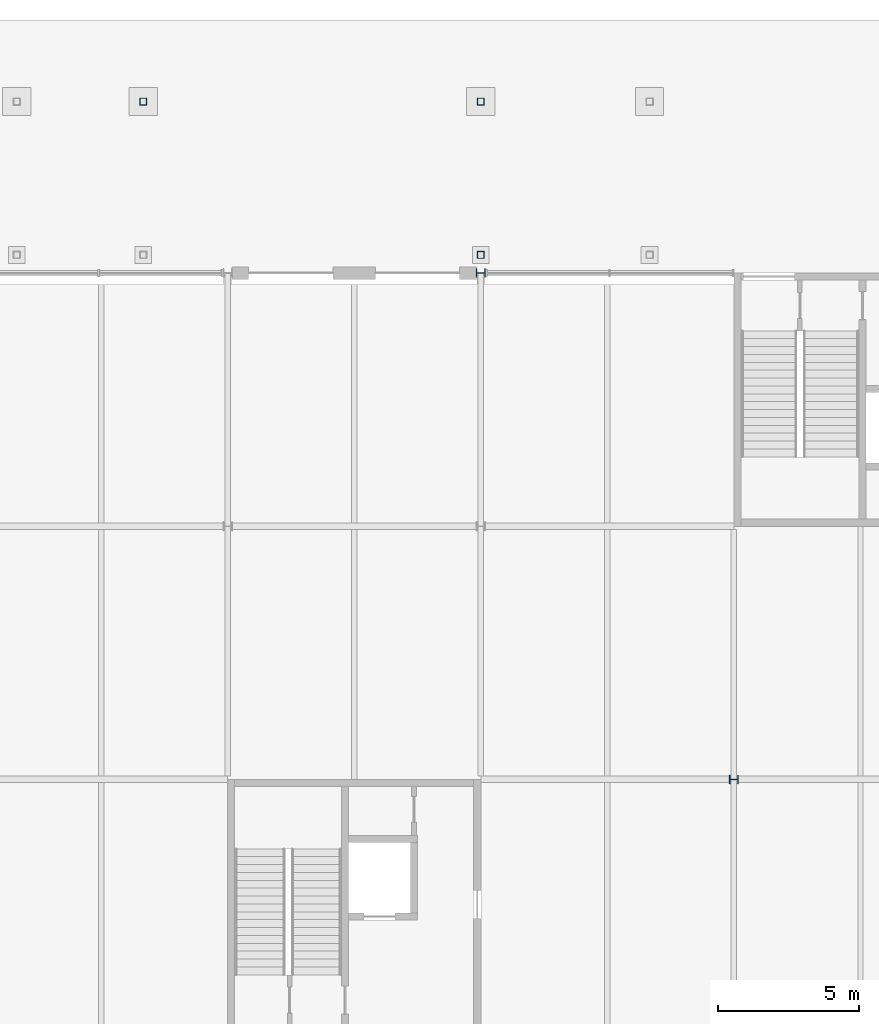
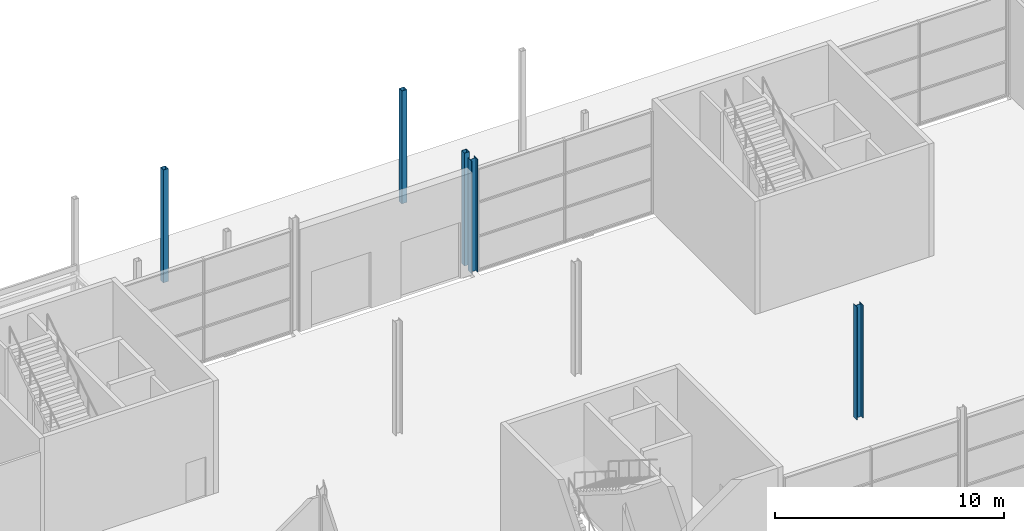
# One storey, part 23 of 97: 5 columns.
"""IFC4 building model written with IfcOpenShell, lengths in metres."""

from ifc_helpers import new_model, si_unit, direction, frame, origin, origin_2d, place, context, subcontext, project, spatial, hollow_rectangle, i_section, extrude, material, material_profile, profile_set, type_object, element, save


model = new_model("IFC4")

# Units and contexts
model_context = context("Model", 3, precision=1e-05, world=origin(), true_north=direction((0.0, 1.0)))
body_context = subcontext(model_context, "Body", "Model", "MODEL_VIEW")
ifc_project = project(units=[si_unit("LENGTHUNIT", "METRE"), si_unit("AREAUNIT", "SQUARE_METRE"), si_unit("VOLUMEUNIT", "CUBIC_METRE"), si_unit("PLANEANGLEUNIT", "RADIAN"), si_unit("MASSUNIT", "GRAM", prefix="KILO")], contexts=[model_context])

# Site, building, storey
site_placement = place(None, origin())
site = spatial("IfcSite", under=ifc_project, at=site_placement, CompositionType="ELEMENT")
building_placement = place(site_placement, origin())
building = spatial("IfcBuilding", under=site, at=building_placement, Name="Corbel Yard City Hall", CompositionType="ELEMENT")
storey_placement = place(building_placement, origin())
storey = spatial("IfcBuildingStorey", under=building, at=storey_placement, Name="L00", CompositionType="ELEMENT", Elevation=0.0)

# Columns
ifc_material_1 = material(Name="Steel Grade 300 (300 MPa yield)", Category="steel")
ifc_material_profile_1 = material_profile(ifc_material_1, i_section(OverallWidth=0.306884765625, OverallDepth=0.31494140625, WebThickness=0.011962890625, FlangeThickness=0.018798828125, at=origin_2d()), Name="310UC118")
ifc_profile_set_1 = profile_set([ifc_material_profile_1], Name="Steel Grade 300 (300 MPa yield)")
column_type_1 = type_object("IfcColumnType", Name="Column 310UC118", PredefinedType="COLUMN", material=ifc_profile_set_1)
column_1_placement = place(storey_placement, frame((90.0, 117.0, 0.0), z_axis=(0.0, 0.0, 1.0), x_axis=(0.0, 1.0, 0.0)))
element("IfcColumn", 1, at=column_1_placement, inside=storey, type_object=column_type_1, Name="Column 310UC118 N/11 L00", PredefinedType="COLUMN", context=body_context, shape_type="SweptSolid", body=[
    extrude(i_section(OverallWidth=0.306884765625, OverallDepth=0.31494140625, WebThickness=0.011962890625, FlangeThickness=0.018798828125, at=origin_2d()), origin(), (0.0, 0.0, 1.0), 6.0),
])
ifc_material_profile_2 = material_profile(ifc_material_1, i_section(OverallWidth=0.31103515625, OverallDepth=0.326904296875, WebThickness=0.015625, FlangeThickness=0.02490234375, at=origin_2d()), Name="310UC158")
ifc_profile_set_2 = profile_set([ifc_material_profile_2], Name="Steel Grade 300 (300 MPa yield)")
column_type_2 = type_object("IfcColumnType", Name="Column 310UC158", PredefinedType="COLUMN", material=ifc_profile_set_2)
column_2_placement = place(storey_placement, frame((99.0, 99.0, 0.0), z_axis=(0.0, 0.0, 1.0), x_axis=(0.0, 1.0, 0.0)))
element("IfcColumn", 2, at=column_2_placement, inside=storey, type_object=column_type_2, Name="Column 310UC158 L/12 L00", PredefinedType="COLUMN", context=body_context, shape_type="SweptSolid", body=[
    extrude(i_section(OverallWidth=0.31103515625, OverallDepth=0.326904296875, WebThickness=0.015625, FlangeThickness=0.02490234375, at=origin_2d()), origin(), (0.0, 0.0, 1.0), 6.0),
])
ifc_material_2 = material(Name="Steel Grade C450L0", Category="steel")
ifc_material_profile_3 = material_profile(ifc_material_2, hollow_rectangle(XDim=0.25, YDim=0.25, WallThickness=0.012451171875, at=origin_2d()), Name="250x250x12.5SHS")
ifc_profile_set_3 = profile_set([ifc_material_profile_3], Name="Steel Grade C450L0")
column_type_3 = type_object("IfcColumnType", Name="Portico Column 250x250x12.5SHS", PredefinedType="COLUMN", material=ifc_profile_set_3)
for number, where, z_axis, x_axis, name in (
    (3, (90.0, 117.64990234375, 0.0), (0.0, 0.0, 1.0), (1.0, 0.0, 0.0), "Portico Column B03"),
    (4, (78.0, 123.10009765625, 0.0), (0.0, 0.0, 1.0), (1.0, 0.0, 0.0), "Portico Column F02"),
    (5, (90.0, 123.10009765625, 0.0), (0.0, 0.0, 1.0), (1.0, 0.0, 0.0), "Portico Column F03"),
):
    element("IfcColumn", number, at=place(storey_placement, frame(where, z_axis=z_axis, x_axis=x_axis)), inside=storey, type_object=column_type_3, Name=name, PredefinedType="COLUMN", context=body_context, shape_type="SweptSolid", body=[
        extrude(hollow_rectangle(XDim=0.25, YDim=0.25, WallThickness=0.012451171875, at=origin_2d()), origin(), (0.0, 0.0, 1.0), 6.0),
    ])

save(model, "model.ifc")
